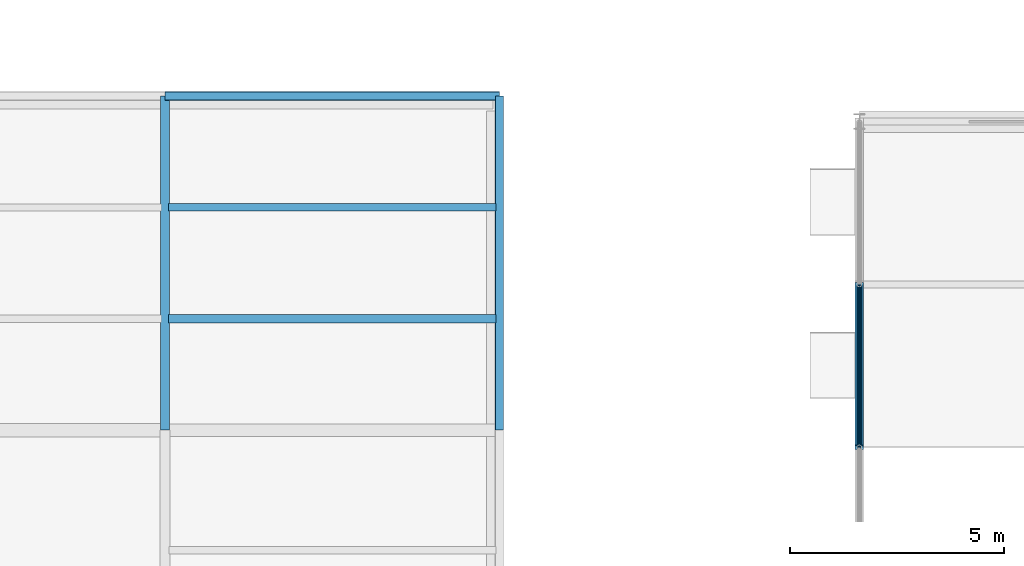
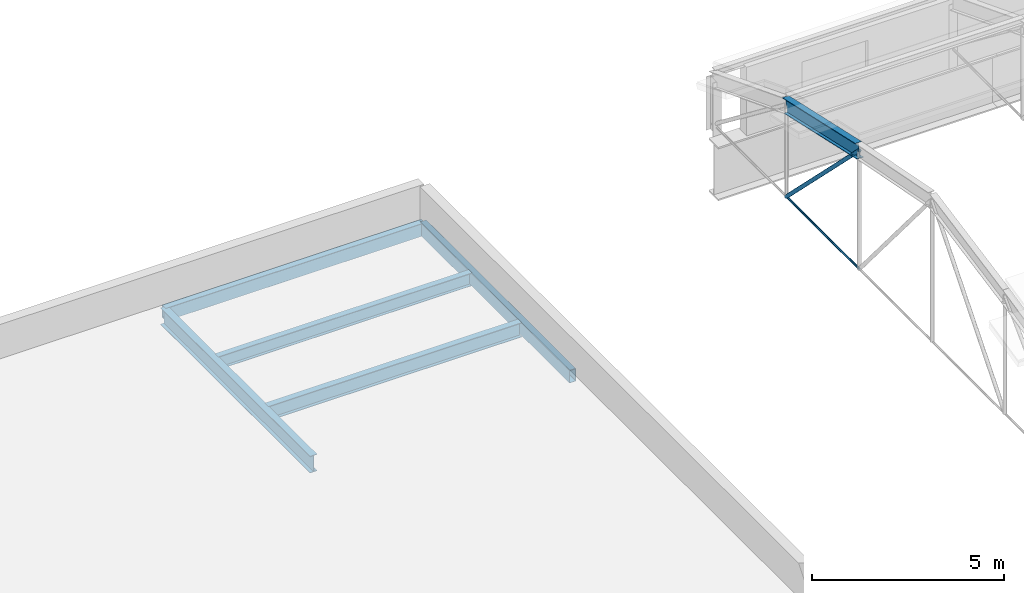
# One storey, part 9 of 53: 6 beams, 2 members.
"""IFC4 building model written with IfcOpenShell, lengths in metres."""

import ifcopenshell
import ifcopenshell.guid

model = None  # the IFC model being written
_history = None  # IfcOwnerHistory: only IFC2X3 demands one
_inside = {}  # id of a spatial element -> (the spatial element, [elements in it])
_under = {}  # id of a project, library or spatial element -> (it, [spatial elements below it])
_declared = {}  # id of a project -> (the project, [libraries it declares])
_typed = {}  # id of a type object -> (the type object, [elements of that type])
_made_of = {}  # id of a material, layer set ... -> (it, [elements and type objects made of it])


def new_model(schema):
    """Start an empty IFC model of exactly this schema.

    Asked for "IFC4X3", IfcOpenShell would pick the latest addendum, in which some entities
    have other attributes; the version numbers below select the first issue.
    IFC2X3 requires an IfcOwnerHistory on every rooted entity: one is made here for all.
    """
    global model, _history
    if schema == "IFC4X3":
        model = ifcopenshell.file(schema_version=(4, 3, 0, 0))
    else:
        model = ifcopenshell.file(schema=schema)
    _inside.clear()
    _under.clear()
    _declared.clear()
    _typed.clear()
    _made_of.clear()
    _history = None
    if model.schema == "IFC2X3":
        org = make("IfcOrganization", Name="unknown")
        user = make(
            "IfcPersonAndOrganization",
            ThePerson=make("IfcPerson", FamilyName="unknown"),
            TheOrganization=org,
        )
        app = make(
            "IfcApplication",
            ApplicationDeveloper=org,
            Version="unknown",
            ApplicationFullName="unknown",
            ApplicationIdentifier="unknown",
        )
        _history = make(
            "IfcOwnerHistory",
            OwningUser=user,
            OwningApplication=app,
            ChangeAction="ADDED",
            CreationDate=0,
        )
    return model


def make(cls, **values):
    """One entity of the class cls with the attributes given. An attribute that is None is left unset."""
    return model.create_entity(
        cls, **{name: value for name, value in values.items() if value is not None}
    )


def rooted(cls, **values):
    """An entity with a GlobalId (a new one), such as an element, a storey or a relation."""
    return make(cls, GlobalId=ifcopenshell.guid.new(), OwnerHistory=_history, **values)


def si_unit(unit_type, name, prefix=None):
    """IfcSIUnit, for example si_unit("LENGTHUNIT", "METRE", prefix="MILLI")."""
    return make("IfcSIUnit", UnitType=unit_type, Prefix=prefix, Name=name)


def assignment(units):
    """IfcUnitAssignment: the units of a project."""
    return None if units is None else make("IfcUnitAssignment", Units=units)


def point(xyz):
    """IfcCartesianPoint."""
    return None if xyz is None else make("IfcCartesianPoint", Coordinates=xyz)


def direction(xyz):
    """IfcDirection."""
    return None if xyz is None else make("IfcDirection", DirectionRatios=xyz)


def frame(location, z_axis=None, x_axis=None):
    """IfcAxis2Placement3D, a coordinate frame: its origin and axes. An axis left out is left unset."""
    return make(
        "IfcAxis2Placement3D",
        Location=point(location),
        Axis=direction(z_axis),
        RefDirection=direction(x_axis),
    )


def frame_2d(location, x_axis=None):
    """IfcAxis2Placement2D, a coordinate frame in the plane: its origin and x axis."""
    return make(
        "IfcAxis2Placement2D", Location=point(location), RefDirection=direction(x_axis)
    )


def origin_with_axes():
    """The frame at (0, 0, 0) with the z axis (0, 0, 1) and the x axis (1, 0, 0) written out."""
    return frame((0.0, 0.0, 0.0), z_axis=(0.0, 0.0, 1.0), x_axis=(1.0, 0.0, 0.0))


def origin_2d_with_axis():
    """The frame at (0, 0) in the plane with the x axis (1, 0) written out."""
    return frame_2d((0.0, 0.0), x_axis=(1.0, 0.0))


def place(relative_to, where):
    """IfcLocalPlacement: puts the frame where relative to a parent placement (None: the world)."""
    return make(
        "IfcLocalPlacement", PlacementRelTo=relative_to, RelativePlacement=where
    )


def context(
    kind, dimensions, precision=None, world=None, true_north=None, identifier=None
):
    """IfcGeometricRepresentationContext, for example the 3D "Model" context."""
    return make(
        "IfcGeometricRepresentationContext",
        ContextIdentifier=identifier,
        ContextType=kind,
        CoordinateSpaceDimension=dimensions,
        Precision=precision,
        WorldCoordinateSystem=world,
        TrueNorth=true_north,
    )


def subcontext(parent, identifier, kind, view, scale=None):
    """IfcGeometricRepresentationSubContext, for example "Body" below "Model"."""
    return make(
        "IfcGeometricRepresentationSubContext",
        ContextIdentifier=identifier,
        ContextType=kind,
        ParentContext=parent,
        TargetScale=scale,
        TargetView=view,
    )


def project(units=None, contexts=None):
    """IfcProject with its units and contexts."""
    return rooted(
        "IfcProject",
        Name="project",
        RepresentationContexts=contexts,
        UnitsInContext=assignment(units),
    )


def spatial(cls, under=None, at=None, **own):
    """A site, building, storey or space (cls), placed at a placement, below another one or the project."""
    s = rooted(cls, ObjectPlacement=at, **own)
    if under is not None:
        _under.setdefault(under.id(), (under, []))[1].append(s)
    return s


def profile(cls, at=None, kind="AREA", **sizes):
    """A parametric profile (cls). Its sizes go by their IFC names, for example OverallWidth=200.0."""
    return make(cls, ProfileType=kind, Position=at, **sizes)


def hollow_rectangle(**sizes):
    """IfcRectangleHollowProfileDef."""
    return profile("IfcRectangleHollowProfileDef", **sizes)


def circle(**sizes):
    """IfcCircleProfileDef."""
    return profile("IfcCircleProfileDef", **sizes)


def hollow_circle(**sizes):
    """IfcCircleHollowProfileDef."""
    return profile("IfcCircleHollowProfileDef", **sizes)


def i_section(**sizes):
    """IfcIShapeProfileDef."""
    return profile("IfcIShapeProfileDef", **sizes)


def extrude(swept, where, along, depth):
    """IfcExtrudedAreaSolid: the profile swept, set in the frame where, extruded along a direction by depth."""
    return make(
        "IfcExtrudedAreaSolid",
        SweptArea=swept,
        Position=where,
        ExtrudedDirection=direction(along),
        Depth=depth,
    )


def shape(context_of_items, identifier, shape_type, items):
    """IfcShapeRepresentation: the items that make up one representation, for example the "Body"."""
    return make(
        "IfcShapeRepresentation",
        ContextOfItems=context_of_items,
        RepresentationIdentifier=identifier,
        RepresentationType=shape_type,
        Items=items,
    )


def material(Name=None, Category=None):
    """IfcMaterial."""
    return make("IfcMaterial", Name=Name, Category=Category)


def material_profile(
    of_material, cross_section, Name=None, Category=None, Priority=None
):
    """IfcMaterialProfile: a cross section and its material."""
    return make(
        "IfcMaterialProfile",
        Name=Name,
        Material=of_material,
        Profile=cross_section,
        Priority=Priority,
        Category=Category,
    )


def profile_set(profiles, Name=None, composite=None):
    """IfcMaterialProfileSet."""
    return make(
        "IfcMaterialProfileSet",
        Name=Name,
        MaterialProfiles=profiles,
        CompositeProfile=composite,
    )


def made_of(thing, what):
    """Note that an element or type object is made of a material, layer set ...; save() writes the relation."""
    if what is not None:
        _made_of.setdefault(what.id(), (what, []))[1].append(thing)
    return thing


def type_object(cls, material=None, **own):
    """A type object (cls), such as IfcWallType, which elements share."""
    return made_of(rooted(cls, **own), material)


def element(
    cls,
    number,
    at=None,
    inside=None,
    cuts=None,
    type_object=None,
    material=None,
    context=None,
    identifier="Body",
    shape_type=None,
    held_by="IfcProductDefinitionShape",
    body=None,
    shapes=None,
    **own,
):
    """One element of the class cls, such as IfcWall. Its Tag is "e" and its number.

    at: its placement. inside: the storey or other place that contains it. cuts: it is an
    opening in that element (IfcRelVoidsElement). A single representation is given by context,
    identifier, shape_type and body (its items); several are given by shapes. held_by: the class
    of the entity that holds the representations. save() writes the other relations.
    """
    e = rooted(cls, Tag="e%d" % number, ObjectPlacement=at, **own)
    if body is not None:
        shapes = [shape(context, identifier, shape_type, body)]
    if shapes is not None:
        e.Representation = make(held_by, Representations=shapes)
    if inside is not None:
        _inside.setdefault(inside.id(), (inside, []))[1].append(e)
    if cuts is not None:
        rooted(
            "IfcRelVoidsElement", RelatingBuildingElement=cuts, RelatedOpeningElement=e
        )
    if type_object is not None:
        _typed.setdefault(type_object.id(), (type_object, []))[1].append(e)
    return made_of(e, material)


def aggregate(whole, parts):
    """IfcRelAggregates: a whole, such as a stair, and the parts it consists of."""
    return rooted("IfcRelAggregates", RelatingObject=whole, RelatedObjects=parts)


def save(model, path):
    """Write the relations noted so far, then the file.

    IfcRelAggregates (storeys below a building ...), IfcRelContainedInSpatialStructure (elements
    in a storey), IfcRelDefinesByType, IfcRelAssociatesMaterial and IfcRelDeclares: one each for
    every whole, place, type object, material and project.
    """
    for whole, parts in _under.values():
        aggregate(whole, parts)
    for where, things in _inside.values():
        rooted(
            "IfcRelContainedInSpatialStructure",
            RelatedElements=things,
            RelatingStructure=where,
        )
    for kind, things in _typed.values():
        rooted("IfcRelDefinesByType", RelatedObjects=things, RelatingType=kind)
    for what, things in _made_of.values():
        rooted("IfcRelAssociatesMaterial", RelatedObjects=things, RelatingMaterial=what)
    for by, libraries in _declared.values():
        rooted("IfcRelDeclares", RelatingContext=by, RelatedDefinitions=libraries)
    model.write(path)


model = new_model("IFC4")

# Units and contexts
model_context = context("Model", 3, precision=1e-05, world=origin_with_axes(), true_north=direction((0.0, 1.0)))
body_context = subcontext(model_context, "Body", "Model", "MODEL_VIEW")
ifc_project = project(units=[si_unit("LENGTHUNIT", "METRE"), si_unit("AREAUNIT", "SQUARE_METRE"), si_unit("VOLUMEUNIT", "CUBIC_METRE"), si_unit("PLANEANGLEUNIT", "RADIAN"), si_unit("MASSUNIT", "GRAM", prefix="KILO"), si_unit("THERMODYNAMICTEMPERATUREUNIT", "KELVIN")], contexts=[model_context])

# Site, building, storey
site_placement = place(None, origin_with_axes())
site = spatial("IfcSite", under=ifc_project, at=site_placement, CompositionType="ELEMENT")
building_placement = place(site_placement, origin_with_axes())
building = spatial("IfcBuilding", under=site, at=building_placement, Name="Montbau Bow Law Courts", CompositionType="ELEMENT")
storey_placement = place(building_placement, frame((0.0, 0.0, 39.0), z_axis=(0.0, 0.0, 1.0), x_axis=(1.0, 0.0, 0.0)))
storey = spatial("IfcBuildingStorey", under=building, at=storey_placement, Name="L08", CompositionType="ELEMENT", Elevation=39.0)

# Beams
ifc_material_1 = material(Name="Steel CSA G40.21 Grade 350WT (350 MPa)", Category="steel")
ifc_material_profile_1 = material_profile(ifc_material_1, i_section(OverallWidth=0.191, OverallDepth=0.46, WebThickness=0.0099, FlangeThickness=0.016, at=origin_2d_with_axis()), Name="W460X82", Category="Main", Priority=0)
ifc_profile_set_1 = profile_set([ifc_material_profile_1], Name="Steel CSA G40.21 Grade 350WT (350 MPa)")
beam_type_1 = type_object("IfcBeamType", Name="B-ARC-02", PredefinedType="USERDEFINED", material=ifc_profile_set_1)
beam_1_placement = place(None, frame((55.2, 54.2, 43.024), z_axis=(0.0, 0.97610237, -0.217311212), x_axis=(-1.0, 0.0, 0.0)))
element("IfcBeam", 1, at=beam_1_placement, inside=storey, type_object=beam_type_1, Name="Barrel vault roof truss arch rib V3-101", ObjectType="ARCH_RIB", PredefinedType="USERDEFINED", context=body_context, shape_type="SweptSolid", body=[
    extrude(i_section(OverallWidth=0.191, OverallDepth=0.46, WebThickness=0.0099, FlangeThickness=0.016, at=origin_2d_with_axis()), origin_with_axes(), (0.0, 0.0, 1.0), 3.893034),
])
ifc_material_2 = material(Name="Steel CSA G40.21 Grade 350W (350 MPa)", Category="steel")
ifc_material_profile_2 = material_profile(ifc_material_2, i_section(OverallWidth=0.21, OverallDepth=0.537, WebThickness=0.0109, FlangeThickness=0.0174, at=origin_2d_with_axis()), Name="W530X101", Category="Main", Priority=0)
ifc_profile_set_2 = profile_set([ifc_material_profile_2], Name="Steel CSA G40.21 Grade 350W (350 MPa)")
beam_type_2 = type_object("IfcBeamType", Name="B-FLR-06", PredefinedType="BEAM", material=ifc_profile_set_2)
beam_2_placement = place(None, frame((39.0, 54.6, 38.481), z_axis=(0.0, 1.0, 0.0), x_axis=(-1.0, 0.0, 0.0)))
element("IfcBeam", 2, at=beam_2_placement, inside=storey, type_object=beam_type_2, Name="BM-L08-S0794:bm2_0797", PredefinedType="BEAM", context=body_context, shape_type="SweptSolid", body=[
    extrude(i_section(OverallWidth=0.21, OverallDepth=0.537, WebThickness=0.0109, FlangeThickness=0.0174, at=origin_2d_with_axis()), origin_with_axes(), (0.0, 0.0, 1.0), 7.8),
])
ifc_material_profile_3 = material_profile(ifc_material_2, i_section(OverallWidth=0.191, OverallDepth=0.46, WebThickness=0.0099, FlangeThickness=0.016, at=origin_2d_with_axis()), Name="W460X82", Category="Main", Priority=0)
ifc_profile_set_3 = profile_set([ifc_material_profile_3], Name="Steel CSA G40.21 Grade 350W (350 MPa)")
beam_type_3 = type_object("IfcBeamType", Name="B-JST-01", PredefinedType="JOIST", material=ifc_profile_set_3)
beam_3_placement = place(None, frame((39.081, 57.2, 38.52), z_axis=(1.0, 0.0, 0.0), x_axis=(0.0, 1.0, 0.0)))
element("IfcBeam", 3, at=beam_3_placement, inside=storey, type_object=beam_type_3, Name="JST-L08-S0412:jst2_0412", PredefinedType="JOIST", context=body_context, shape_type="SweptSolid", body=[
    extrude(i_section(OverallWidth=0.191, OverallDepth=0.46, WebThickness=0.0099, FlangeThickness=0.016, at=origin_2d_with_axis()), origin_with_axes(), (0.0, 0.0, 1.0), 7.639),
])
ifc_material_profile_4 = material_profile(ifc_material_2, i_section(OverallWidth=0.179, OverallDepth=0.41, WebThickness=0.0088, FlangeThickness=0.0144, at=origin_2d_with_axis()), Name="W410X67", Category="Main", Priority=0)
ifc_profile_set_4 = profile_set([ifc_material_profile_4], Name="Steel CSA G40.21 Grade 350W (350 MPa)")
beam_type_4 = type_object("IfcBeamType", Name="B-JST-02", PredefinedType="JOIST", material=ifc_profile_set_4)
beam_4_placement = place(None, frame((39.081, 59.8, 38.545), z_axis=(1.0, 0.0, 0.0), x_axis=(0.0, 1.0, 0.0)))
element("IfcBeam", 4, at=beam_4_placement, inside=storey, type_object=beam_type_4, Name="JST-L08-S0413:jst2_0413", PredefinedType="JOIST", context=body_context, shape_type="SweptSolid", body=[
    extrude(i_section(OverallWidth=0.179, OverallDepth=0.41, WebThickness=0.0088, FlangeThickness=0.0144, at=origin_2d_with_axis()), origin_with_axes(), (0.0, 0.0, 1.0), 7.639),
])
ifc_material_profile_5 = material_profile(ifc_material_1, hollow_rectangle(XDim=0.203, YDim=0.406, WallThickness=0.0127, InnerFilletRadius=0.0254, OuterFilletRadius=0.0127, at=origin_2d_with_axis()), Name="HSS406X203X13", Category="Main", Priority=0)
ifc_profile_set_5 = profile_set([ifc_material_profile_5], Name="Steel CSA G40.21 Grade 350WT (350 MPa)")
beam_type_5 = type_object("IfcBeamType", Name="B-SPN-01", PredefinedType="SPANDREL", material=ifc_profile_set_5)
for number, where, z_axis, x_axis, name in (
    (5, (39.0, 62.4, 38.547), (1.0, 0.0, 0.0), (0.0, 1.0, 0.0), "SPN-L08-S0779:bm2_0782"),
    (6, (46.8, 54.6, 38.547), (0.0, 1.0, 0.0), (-1.0, 0.0, 0.0), "SPN-L08-S0797:bm2_0800"),
):
    element("IfcBeam", number, at=place(None, frame(where, z_axis=z_axis, x_axis=x_axis)), inside=storey, type_object=beam_type_5, Name=name, PredefinedType="SPANDREL", context=body_context, shape_type="SweptSolid", body=[
        extrude(hollow_rectangle(XDim=0.203, YDim=0.406, WallThickness=0.0127, InnerFilletRadius=0.0254, OuterFilletRadius=0.0127, at=origin_2d_with_axis()), origin_with_axes(), (0.0, 0.0, 1.0), 7.8),
    ])

# Members
ifc_material_profile_6 = material_profile(ifc_material_1, hollow_circle(Radius=0.057, WallThickness=0.008, at=origin_2d_with_axis()), Name="HSS114X8.0", Category="Main", Priority=0)
ifc_profile_set_6 = profile_set([ifc_material_profile_6], Name="Steel CSA G40.21 Grade 350WT (350 MPa)")
member_type_1 = type_object("IfcMemberType", Name="M-STR-03", PredefinedType="STRUT", material=ifc_profile_set_6)
member_1_placement = place(None, frame((55.2, 54.2, 43.024), z_axis=(0.0, 0.709529954, -0.704675276), x_axis=(-1.0, 0.0, 0.0)))
element("IfcMember", 7, at=member_1_placement, inside=storey, type_object=member_type_1, Name="Barrel vault roof truss web diagonal V3-01-5", PredefinedType="STRUT", context=body_context, shape_type="SweptSolid", body=[
    extrude(hollow_circle(Radius=0.057, WallThickness=0.008, at=origin_2d_with_axis()), origin_with_axes(), (0.0, 0.0, 1.0), 5.355658),
])
ifc_material_profile_7 = material_profile(ifc_material_1, circle(Radius=0.032, at=origin_2d_with_axis()), Name="ROD64", Category="Main", Priority=0)
ifc_profile_set_7 = profile_set([ifc_material_profile_7], Name="Steel CSA G40.21 Grade 350WT (350 MPa)")
member_type_2 = type_object("IfcMemberType", Name="M-TIE-02", PredefinedType="USERDEFINED", material=ifc_profile_set_7)
member_2_placement = place(None, frame((55.2, 54.2, 39.25), z_axis=(0.0, 1.0, 0.0), x_axis=(-1.0, 0.0, 0.0)))
element("IfcMember", 8, at=member_2_placement, inside=storey, type_object=member_type_2, Name="Barrel vault roof truss tie V3-101", ObjectType="TIEBAR", PredefinedType="USERDEFINED", context=body_context, shape_type="SweptSolid", body=[
    extrude(circle(Radius=0.032, at=origin_2d_with_axis()), origin_with_axes(), (0.0, 0.0, 1.0), 3.8),
])

save(model, "model.ifc")
